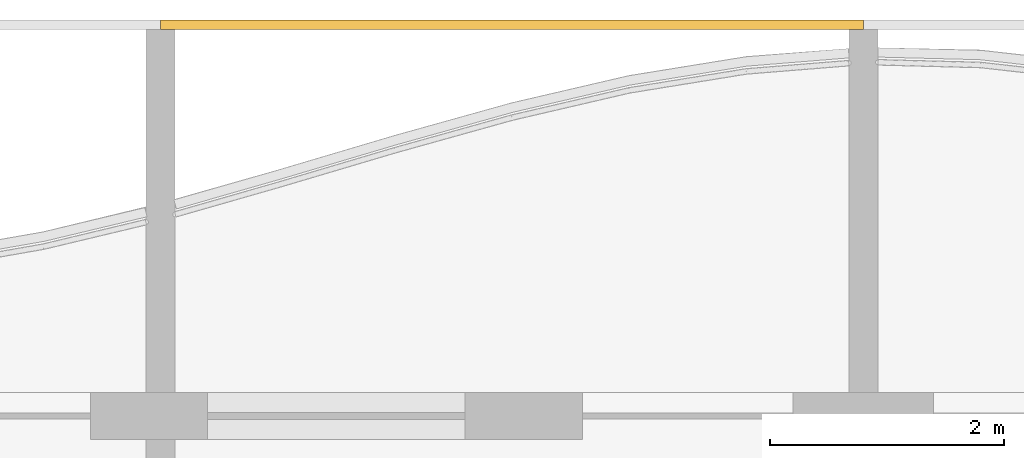
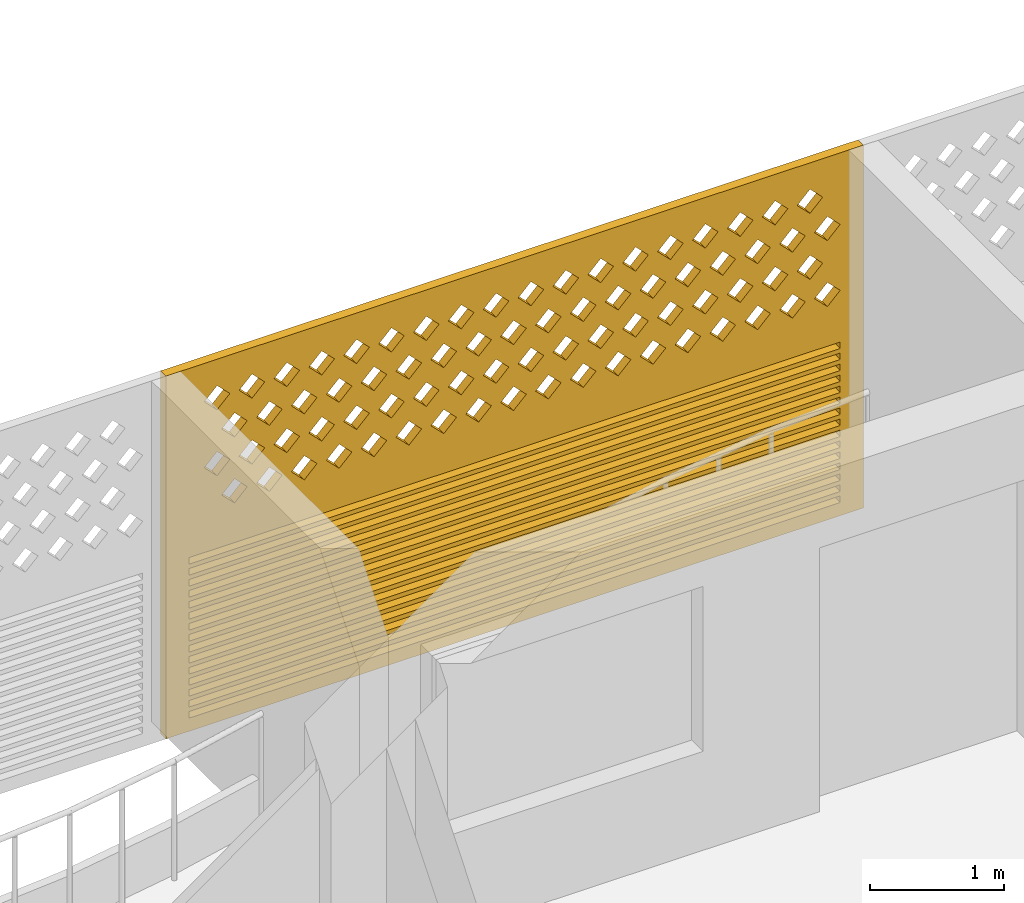
# One storey, part 19 of 27: 1 covering.
"""IFC4 building model written with IfcOpenShell, lengths in metres."""

from ifc_helpers import new_model, si_unit, direction, frame, origin, place, context, subcontext, project, spatial, polyline, outline, extrude, source, transform, mapped, material, material_profile, profile_set, type_object, element, save


model = new_model("IFC4")

# Units and contexts
model_context = context("Model", 3, precision=1e-05, world=origin(), true_north=direction((0.0, 1.0)))
body_context = subcontext(model_context, "Body", "Model", "MODEL_VIEW")
ifc_project = project(units=[si_unit("LENGTHUNIT", "METRE"), si_unit("AREAUNIT", "SQUARE_METRE"), si_unit("VOLUMEUNIT", "CUBIC_METRE"), si_unit("PLANEANGLEUNIT", "RADIAN"), si_unit("MASSUNIT", "GRAM", prefix="KILO")], contexts=[model_context])

# Site, building, storey
site_placement = place(None, origin())
site = spatial("IfcSite", under=ifc_project, at=site_placement, CompositionType="ELEMENT")
building_placement = place(site_placement, origin())
building = spatial("IfcBuilding", under=site, at=building_placement, Name="Poui Terraces", CompositionType="ELEMENT")
storey_placement = place(building_placement, frame((0.0, 0.0, 204.89990234375)))
storey = spatial("IfcBuildingStorey", under=building, at=storey_placement, Name="L57", CompositionType="ELEMENT", Elevation=204.89990234375)

# Covering
ifc_material = material(Name="Terracotta screen", Category="masonry")
ifc_material_profile = material_profile(ifc_material, outline(polyline([(-3.0, -1.64990234375), (3.0, -1.64990234375), (3.0, 1.64990234375), (-3.0, 1.64990234375), (-3.0, -1.64990234375)]), holes=[polyline([(-2.800048828125, 0.39990234375), (-2.68994140625, 0.2900390625), (-2.580078125, 0.39990234375), (-2.68994140625, 0.510009765625), (-2.800048828125, 0.39990234375)]), polyline([(-2.5, 0.39990234375), (-2.389892578125, 0.2900390625), (-2.280029296875, 0.39990234375), (-2.389892578125, 0.510009765625), (-2.5, 0.39990234375)]), polyline([(-2.199951171875, 0.39990234375), (-2.090087890625, 0.2900390625), (-1.97998046875, 0.39990234375), (-2.090087890625, 0.510009765625), (-2.199951171875, 0.39990234375)]), polyline([(-1.89990234375, 0.39990234375), (-1.7900390625, 0.2900390625), (-1.679931640625, 0.39990234375), (-1.7900390625, 0.510009765625), (-1.89990234375, 0.39990234375)]), polyline([(-1.60009765625, 0.39990234375), (-1.489990234375, 0.2900390625), (-1.3798828125, 0.39990234375), (-1.489990234375, 0.510009765625), (-1.60009765625, 0.39990234375)]), polyline([(-1.300048828125, 0.39990234375), (-1.18994140625, 0.2900390625), (-1.080078125, 0.39990234375), (-1.18994140625, 0.510009765625), (-1.300048828125, 0.39990234375)]), polyline([(-1.0, 0.39990234375), (-0.889892578125, 0.2900390625), (-0.780029296875, 0.39990234375), (-0.889892578125, 0.510009765625), (-1.0, 0.39990234375)]), polyline([(-0.699951171875, 0.39990234375), (-0.590087890625, 0.2900390625), (-0.47998046875, 0.39990234375), (-0.590087890625, 0.510009765625), (-0.699951171875, 0.39990234375)]), polyline([(-0.39990234375, 0.39990234375), (-0.2900390625, 0.2900390625), (-0.179931640625, 0.39990234375), (-0.2900390625, 0.510009765625), (-0.39990234375, 0.39990234375)]), polyline([(-0.10009765625, 0.39990234375), (0.010009765625, 0.2900390625), (0.1201171875, 0.39990234375), (0.010009765625, 0.510009765625), (-0.10009765625, 0.39990234375)]), polyline([(0.199951171875, 0.39990234375), (0.31005859375, 0.2900390625), (0.419921875, 0.39990234375), (0.31005859375, 0.510009765625), (0.199951171875, 0.39990234375)]), polyline([(0.5, 0.39990234375), (0.610107421875, 0.2900390625), (0.719970703125, 0.39990234375), (0.610107421875, 0.510009765625), (0.5, 0.39990234375)]), polyline([(0.800048828125, 0.39990234375), (0.909912109375, 0.2900390625), (1.02001953125, 0.39990234375), (0.909912109375, 0.510009765625), (0.800048828125, 0.39990234375)]), polyline([(1.10009765625, 0.39990234375), (1.2099609375, 0.2900390625), (1.320068359375, 0.39990234375), (1.2099609375, 0.510009765625), (1.10009765625, 0.39990234375)]), polyline([(1.39990234375, 0.39990234375), (1.510009765625, 0.2900390625), (1.6201171875, 0.39990234375), (1.510009765625, 0.510009765625), (1.39990234375, 0.39990234375)]), polyline([(1.699951171875, 0.39990234375), (1.81005859375, 0.2900390625), (1.919921875, 0.39990234375), (1.81005859375, 0.510009765625), (1.699951171875, 0.39990234375)]), polyline([(2.0, 0.39990234375), (2.110107421875, 0.2900390625), (2.219970703125, 0.39990234375), (2.110107421875, 0.510009765625), (2.0, 0.39990234375)]), polyline([(2.300048828125, 0.39990234375), (2.409912109375, 0.2900390625), (2.52001953125, 0.39990234375), (2.409912109375, 0.510009765625), (2.300048828125, 0.39990234375)]), polyline([(-2.64990234375, 0.699951171875), (-2.5400390625, 0.590087890625), (-2.429931640625, 0.699951171875), (-2.5400390625, 0.81005859375), (-2.64990234375, 0.699951171875)]), polyline([(-2.35009765625, 0.699951171875), (-2.239990234375, 0.590087890625), (-2.1298828125, 0.699951171875), (-2.239990234375, 0.81005859375), (-2.35009765625, 0.699951171875)]), polyline([(-2.050048828125, 0.699951171875), (-1.93994140625, 0.590087890625), (-1.830078125, 0.699951171875), (-1.93994140625, 0.81005859375), (-2.050048828125, 0.699951171875)]), polyline([(-1.75, 0.699951171875), (-1.639892578125, 0.590087890625), (-1.530029296875, 0.699951171875), (-1.639892578125, 0.81005859375), (-1.75, 0.699951171875)]), polyline([(-1.449951171875, 0.699951171875), (-1.340087890625, 0.590087890625), (-1.22998046875, 0.699951171875), (-1.340087890625, 0.81005859375), (-1.449951171875, 0.699951171875)]), polyline([(-1.14990234375, 0.699951171875), (-1.0400390625, 0.590087890625), (-0.929931640625, 0.699951171875), (-1.0400390625, 0.81005859375), (-1.14990234375, 0.699951171875)]), polyline([(-0.85009765625, 0.699951171875), (-0.739990234375, 0.590087890625), (-0.6298828125, 0.699951171875), (-0.739990234375, 0.81005859375), (-0.85009765625, 0.699951171875)]), polyline([(-0.550048828125, 0.699951171875), (-0.43994140625, 0.590087890625), (-0.330078125, 0.699951171875), (-0.43994140625, 0.81005859375), (-0.550048828125, 0.699951171875)]), polyline([(-0.25, 0.699951171875), (-0.139892578125, 0.590087890625), (-0.030029296875, 0.699951171875), (-0.139892578125, 0.81005859375), (-0.25, 0.699951171875)]), polyline([(0.050048828125, 0.699951171875), (0.159912109375, 0.590087890625), (0.27001953125, 0.699951171875), (0.159912109375, 0.81005859375), (0.050048828125, 0.699951171875)]), polyline([(0.35009765625, 0.699951171875), (0.4599609375, 0.590087890625), (0.570068359375, 0.699951171875), (0.4599609375, 0.81005859375), (0.35009765625, 0.699951171875)]), polyline([(0.64990234375, 0.699951171875), (0.760009765625, 0.590087890625), (0.8701171875, 0.699951171875), (0.760009765625, 0.81005859375), (0.64990234375, 0.699951171875)]), polyline([(0.949951171875, 0.699951171875), (1.06005859375, 0.590087890625), (1.169921875, 0.699951171875), (1.06005859375, 0.81005859375), (0.949951171875, 0.699951171875)]), polyline([(1.25, 0.699951171875), (1.360107421875, 0.590087890625), (1.469970703125, 0.699951171875), (1.360107421875, 0.81005859375), (1.25, 0.699951171875)]), polyline([(1.550048828125, 0.699951171875), (1.659912109375, 0.590087890625), (1.77001953125, 0.699951171875), (1.659912109375, 0.81005859375), (1.550048828125, 0.699951171875)]), polyline([(1.85009765625, 0.699951171875), (1.9599609375, 0.590087890625), (2.070068359375, 0.699951171875), (1.9599609375, 0.81005859375), (1.85009765625, 0.699951171875)]), polyline([(2.14990234375, 0.699951171875), (2.260009765625, 0.590087890625), (2.3701171875, 0.699951171875), (2.260009765625, 0.81005859375), (2.14990234375, 0.699951171875)]), polyline([(2.449951171875, 0.699951171875), (2.56005859375, 0.590087890625), (2.669921875, 0.699951171875), (2.56005859375, 0.81005859375), (2.449951171875, 0.699951171875)]), polyline([(-2.800048828125, 1.0), (-2.68994140625, 0.889892578125), (-2.580078125, 1.0), (-2.68994140625, 1.110107421875), (-2.800048828125, 1.0)]), polyline([(-2.5, 1.0), (-2.389892578125, 0.889892578125), (-2.280029296875, 1.0), (-2.389892578125, 1.110107421875), (-2.5, 1.0)]), polyline([(-2.199951171875, 1.0), (-2.090087890625, 0.889892578125), (-1.97998046875, 1.0), (-2.090087890625, 1.110107421875), (-2.199951171875, 1.0)]), polyline([(-1.89990234375, 1.0), (-1.7900390625, 0.889892578125), (-1.679931640625, 1.0), (-1.7900390625, 1.110107421875), (-1.89990234375, 1.0)]), polyline([(-1.60009765625, 1.0), (-1.489990234375, 0.889892578125), (-1.3798828125, 1.0), (-1.489990234375, 1.110107421875), (-1.60009765625, 1.0)]), polyline([(-1.300048828125, 1.0), (-1.18994140625, 0.889892578125), (-1.080078125, 1.0), (-1.18994140625, 1.110107421875), (-1.300048828125, 1.0)]), polyline([(-1.0, 1.0), (-0.889892578125, 0.889892578125), (-0.780029296875, 1.0), (-0.889892578125, 1.110107421875), (-1.0, 1.0)]), polyline([(-0.699951171875, 1.0), (-0.590087890625, 0.889892578125), (-0.47998046875, 1.0), (-0.590087890625, 1.110107421875), (-0.699951171875, 1.0)]), polyline([(-0.39990234375, 1.0), (-0.2900390625, 0.889892578125), (-0.179931640625, 1.0), (-0.2900390625, 1.110107421875), (-0.39990234375, 1.0)]), polyline([(-0.10009765625, 1.0), (0.010009765625, 0.889892578125), (0.1201171875, 1.0), (0.010009765625, 1.110107421875), (-0.10009765625, 1.0)]), polyline([(0.199951171875, 1.0), (0.31005859375, 0.889892578125), (0.419921875, 1.0), (0.31005859375, 1.110107421875), (0.199951171875, 1.0)]), polyline([(0.5, 1.0), (0.610107421875, 0.889892578125), (0.719970703125, 1.0), (0.610107421875, 1.110107421875), (0.5, 1.0)]), polyline([(0.800048828125, 1.0), (0.909912109375, 0.889892578125), (1.02001953125, 1.0), (0.909912109375, 1.110107421875), (0.800048828125, 1.0)]), polyline([(1.10009765625, 1.0), (1.2099609375, 0.889892578125), (1.320068359375, 1.0), (1.2099609375, 1.110107421875), (1.10009765625, 1.0)]), polyline([(1.39990234375, 1.0), (1.510009765625, 0.889892578125), (1.6201171875, 1.0), (1.510009765625, 1.110107421875), (1.39990234375, 1.0)]), polyline([(1.699951171875, 1.0), (1.81005859375, 0.889892578125), (1.919921875, 1.0), (1.81005859375, 1.110107421875), (1.699951171875, 1.0)]), polyline([(2.0, 1.0), (2.110107421875, 0.889892578125), (2.219970703125, 1.0), (2.110107421875, 1.110107421875), (2.0, 1.0)]), polyline([(2.300048828125, 1.0), (2.409912109375, 0.889892578125), (2.52001953125, 1.0), (2.409912109375, 1.110107421875), (2.300048828125, 1.0)]), polyline([(-2.64990234375, 1.300048828125), (-2.5400390625, 1.18994140625), (-2.429931640625, 1.300048828125), (-2.5400390625, 1.409912109375), (-2.64990234375, 1.300048828125)]), polyline([(-2.35009765625, 1.300048828125), (-2.239990234375, 1.18994140625), (-2.1298828125, 1.300048828125), (-2.239990234375, 1.409912109375), (-2.35009765625, 1.300048828125)]), polyline([(-2.050048828125, 1.300048828125), (-1.93994140625, 1.18994140625), (-1.830078125, 1.300048828125), (-1.93994140625, 1.409912109375), (-2.050048828125, 1.300048828125)]), polyline([(-1.75, 1.300048828125), (-1.639892578125, 1.18994140625), (-1.530029296875, 1.300048828125), (-1.639892578125, 1.409912109375), (-1.75, 1.300048828125)]), polyline([(-1.449951171875, 1.300048828125), (-1.340087890625, 1.18994140625), (-1.22998046875, 1.300048828125), (-1.340087890625, 1.409912109375), (-1.449951171875, 1.300048828125)]), polyline([(-1.14990234375, 1.300048828125), (-1.0400390625, 1.18994140625), (-0.929931640625, 1.300048828125), (-1.0400390625, 1.409912109375), (-1.14990234375, 1.300048828125)]), polyline([(-0.85009765625, 1.300048828125), (-0.739990234375, 1.18994140625), (-0.6298828125, 1.300048828125), (-0.739990234375, 1.409912109375), (-0.85009765625, 1.300048828125)]), polyline([(-0.550048828125, 1.300048828125), (-0.43994140625, 1.18994140625), (-0.330078125, 1.300048828125), (-0.43994140625, 1.409912109375), (-0.550048828125, 1.300048828125)]), polyline([(-0.25, 1.300048828125), (-0.139892578125, 1.18994140625), (-0.030029296875, 1.300048828125), (-0.139892578125, 1.409912109375), (-0.25, 1.300048828125)]), polyline([(0.050048828125, 1.300048828125), (0.159912109375, 1.18994140625), (0.27001953125, 1.300048828125), (0.159912109375, 1.409912109375), (0.050048828125, 1.300048828125)]), polyline([(0.35009765625, 1.300048828125), (0.4599609375, 1.18994140625), (0.570068359375, 1.300048828125), (0.4599609375, 1.409912109375), (0.35009765625, 1.300048828125)]), polyline([(0.64990234375, 1.300048828125), (0.760009765625, 1.18994140625), (0.8701171875, 1.300048828125), (0.760009765625, 1.409912109375), (0.64990234375, 1.300048828125)]), polyline([(0.949951171875, 1.300048828125), (1.06005859375, 1.18994140625), (1.169921875, 1.300048828125), (1.06005859375, 1.409912109375), (0.949951171875, 1.300048828125)]), polyline([(1.25, 1.300048828125), (1.360107421875, 1.18994140625), (1.469970703125, 1.300048828125), (1.360107421875, 1.409912109375), (1.25, 1.300048828125)]), polyline([(1.550048828125, 1.300048828125), (1.659912109375, 1.18994140625), (1.77001953125, 1.300048828125), (1.659912109375, 1.409912109375), (1.550048828125, 1.300048828125)]), polyline([(1.85009765625, 1.300048828125), (1.9599609375, 1.18994140625), (2.070068359375, 1.300048828125), (1.9599609375, 1.409912109375), (1.85009765625, 1.300048828125)]), polyline([(2.14990234375, 1.300048828125), (2.260009765625, 1.18994140625), (2.3701171875, 1.300048828125), (2.260009765625, 1.409912109375), (2.14990234375, 1.300048828125)]), polyline([(2.449951171875, 1.300048828125), (2.56005859375, 1.18994140625), (2.669921875, 1.300048828125), (2.56005859375, 1.409912109375), (2.449951171875, 1.300048828125)]), polyline([(-2.800048828125, -1.530029296875), (2.800048828125, -1.530029296875), (2.800048828125, -1.469970703125), (-2.800048828125, -1.469970703125), (-2.800048828125, -1.530029296875)]), polyline([(-2.800048828125, -1.429931640625), (2.800048828125, -1.429931640625), (2.800048828125, -1.3701171875), (-2.800048828125, -1.3701171875), (-2.800048828125, -1.429931640625)]), polyline([(-2.800048828125, -1.330078125), (2.800048828125, -1.330078125), (2.800048828125, -1.27001953125), (-2.800048828125, -1.27001953125), (-2.800048828125, -1.330078125)]), polyline([(-2.800048828125, -1.22998046875), (2.800048828125, -1.22998046875), (2.800048828125, -1.169921875), (-2.800048828125, -1.169921875), (-2.800048828125, -1.22998046875)]), polyline([(-2.800048828125, -1.1298828125), (2.800048828125, -1.1298828125), (2.800048828125, -1.070068359375), (-2.800048828125, -1.070068359375), (-2.800048828125, -1.1298828125)]), polyline([(-2.800048828125, -1.030029296875), (2.800048828125, -1.030029296875), (2.800048828125, -0.969970703125), (-2.800048828125, -0.969970703125), (-2.800048828125, -1.030029296875)]), polyline([(-2.800048828125, -0.929931640625), (2.800048828125, -0.929931640625), (2.800048828125, -0.8701171875), (-2.800048828125, -0.8701171875), (-2.800048828125, -0.929931640625)]), polyline([(-2.800048828125, -0.830078125), (2.800048828125, -0.830078125), (2.800048828125, -0.77001953125), (-2.800048828125, -0.77001953125), (-2.800048828125, -0.830078125)]), polyline([(-2.800048828125, -0.72998046875), (2.800048828125, -0.72998046875), (2.800048828125, -0.669921875), (-2.800048828125, -0.669921875), (-2.800048828125, -0.72998046875)]), polyline([(-2.800048828125, -0.6298828125), (2.800048828125, -0.6298828125), (2.800048828125, -0.570068359375), (-2.800048828125, -0.570068359375), (-2.800048828125, -0.6298828125)]), polyline([(-2.800048828125, -0.530029296875), (2.800048828125, -0.530029296875), (2.800048828125, -0.469970703125), (-2.800048828125, -0.469970703125), (-2.800048828125, -0.530029296875)]), polyline([(-2.800048828125, -0.429931640625), (2.800048828125, -0.429931640625), (2.800048828125, -0.3701171875), (-2.800048828125, -0.3701171875), (-2.800048828125, -0.429931640625)]), polyline([(-2.800048828125, -0.330078125), (2.800048828125, -0.330078125), (2.800048828125, -0.27001953125), (-2.800048828125, -0.27001953125), (-2.800048828125, -0.330078125)]), polyline([(-2.800048828125, -0.22998046875), (2.800048828125, -0.22998046875), (2.800048828125, -0.169921875), (-2.800048828125, -0.169921875), (-2.800048828125, -0.22998046875)]), polyline([(-2.800048828125, -0.1298828125), (2.800048828125, -0.1298828125), (2.800048828125, -0.070068359375), (-2.800048828125, -0.070068359375), (-2.800048828125, -0.1298828125)])]), Name="TERRACOTTA SCREEN AND JALOUSIE LOUVRE 6000X3300")
ifc_profile_set = profile_set([ifc_material_profile], Name="Terracotta screen")
covering_type = type_object("IfcCoveringType", Name="TERRACOTTA SCREEN AND JALOUSIE LOUVRE 6000X3300", PredefinedType="CLADDING", material=ifc_profile_set)
shared_shape = source(origin(), body_context, "Body", "SweptSolid", [
    extrude(outline(polyline([(-3.0, -1.64990234375), (3.0, -1.64990234375), (3.0, 1.64990234375), (-3.0, 1.64990234375), (-3.0, -1.64990234375)]), holes=[polyline([(-2.800048828125, 0.39990234375), (-2.68994140625, 0.2900390625), (-2.580078125, 0.39990234375), (-2.68994140625, 0.510009765625), (-2.800048828125, 0.39990234375)]), polyline([(-2.5, 0.39990234375), (-2.389892578125, 0.2900390625), (-2.280029296875, 0.39990234375), (-2.389892578125, 0.510009765625), (-2.5, 0.39990234375)]), polyline([(-2.199951171875, 0.39990234375), (-2.090087890625, 0.2900390625), (-1.97998046875, 0.39990234375), (-2.090087890625, 0.510009765625), (-2.199951171875, 0.39990234375)]), polyline([(-1.89990234375, 0.39990234375), (-1.7900390625, 0.2900390625), (-1.679931640625, 0.39990234375), (-1.7900390625, 0.510009765625), (-1.89990234375, 0.39990234375)]), polyline([(-1.60009765625, 0.39990234375), (-1.489990234375, 0.2900390625), (-1.3798828125, 0.39990234375), (-1.489990234375, 0.510009765625), (-1.60009765625, 0.39990234375)]), polyline([(-1.300048828125, 0.39990234375), (-1.18994140625, 0.2900390625), (-1.080078125, 0.39990234375), (-1.18994140625, 0.510009765625), (-1.300048828125, 0.39990234375)]), polyline([(-1.0, 0.39990234375), (-0.889892578125, 0.2900390625), (-0.780029296875, 0.39990234375), (-0.889892578125, 0.510009765625), (-1.0, 0.39990234375)]), polyline([(-0.699951171875, 0.39990234375), (-0.590087890625, 0.2900390625), (-0.47998046875, 0.39990234375), (-0.590087890625, 0.510009765625), (-0.699951171875, 0.39990234375)]), polyline([(-0.39990234375, 0.39990234375), (-0.2900390625, 0.2900390625), (-0.179931640625, 0.39990234375), (-0.2900390625, 0.510009765625), (-0.39990234375, 0.39990234375)]), polyline([(-0.10009765625, 0.39990234375), (0.010009765625, 0.2900390625), (0.1201171875, 0.39990234375), (0.010009765625, 0.510009765625), (-0.10009765625, 0.39990234375)]), polyline([(0.199951171875, 0.39990234375), (0.31005859375, 0.2900390625), (0.419921875, 0.39990234375), (0.31005859375, 0.510009765625), (0.199951171875, 0.39990234375)]), polyline([(0.5, 0.39990234375), (0.610107421875, 0.2900390625), (0.719970703125, 0.39990234375), (0.610107421875, 0.510009765625), (0.5, 0.39990234375)]), polyline([(0.800048828125, 0.39990234375), (0.909912109375, 0.2900390625), (1.02001953125, 0.39990234375), (0.909912109375, 0.510009765625), (0.800048828125, 0.39990234375)]), polyline([(1.10009765625, 0.39990234375), (1.2099609375, 0.2900390625), (1.320068359375, 0.39990234375), (1.2099609375, 0.510009765625), (1.10009765625, 0.39990234375)]), polyline([(1.39990234375, 0.39990234375), (1.510009765625, 0.2900390625), (1.6201171875, 0.39990234375), (1.510009765625, 0.510009765625), (1.39990234375, 0.39990234375)]), polyline([(1.699951171875, 0.39990234375), (1.81005859375, 0.2900390625), (1.919921875, 0.39990234375), (1.81005859375, 0.510009765625), (1.699951171875, 0.39990234375)]), polyline([(2.0, 0.39990234375), (2.110107421875, 0.2900390625), (2.219970703125, 0.39990234375), (2.110107421875, 0.510009765625), (2.0, 0.39990234375)]), polyline([(2.300048828125, 0.39990234375), (2.409912109375, 0.2900390625), (2.52001953125, 0.39990234375), (2.409912109375, 0.510009765625), (2.300048828125, 0.39990234375)]), polyline([(-2.64990234375, 0.699951171875), (-2.5400390625, 0.590087890625), (-2.429931640625, 0.699951171875), (-2.5400390625, 0.81005859375), (-2.64990234375, 0.699951171875)]), polyline([(-2.35009765625, 0.699951171875), (-2.239990234375, 0.590087890625), (-2.1298828125, 0.699951171875), (-2.239990234375, 0.81005859375), (-2.35009765625, 0.699951171875)]), polyline([(-2.050048828125, 0.699951171875), (-1.93994140625, 0.590087890625), (-1.830078125, 0.699951171875), (-1.93994140625, 0.81005859375), (-2.050048828125, 0.699951171875)]), polyline([(-1.75, 0.699951171875), (-1.639892578125, 0.590087890625), (-1.530029296875, 0.699951171875), (-1.639892578125, 0.81005859375), (-1.75, 0.699951171875)]), polyline([(-1.449951171875, 0.699951171875), (-1.340087890625, 0.590087890625), (-1.22998046875, 0.699951171875), (-1.340087890625, 0.81005859375), (-1.449951171875, 0.699951171875)]), polyline([(-1.14990234375, 0.699951171875), (-1.0400390625, 0.590087890625), (-0.929931640625, 0.699951171875), (-1.0400390625, 0.81005859375), (-1.14990234375, 0.699951171875)]), polyline([(-0.85009765625, 0.699951171875), (-0.739990234375, 0.590087890625), (-0.6298828125, 0.699951171875), (-0.739990234375, 0.81005859375), (-0.85009765625, 0.699951171875)]), polyline([(-0.550048828125, 0.699951171875), (-0.43994140625, 0.590087890625), (-0.330078125, 0.699951171875), (-0.43994140625, 0.81005859375), (-0.550048828125, 0.699951171875)]), polyline([(-0.25, 0.699951171875), (-0.139892578125, 0.590087890625), (-0.030029296875, 0.699951171875), (-0.139892578125, 0.81005859375), (-0.25, 0.699951171875)]), polyline([(0.050048828125, 0.699951171875), (0.159912109375, 0.590087890625), (0.27001953125, 0.699951171875), (0.159912109375, 0.81005859375), (0.050048828125, 0.699951171875)]), polyline([(0.35009765625, 0.699951171875), (0.4599609375, 0.590087890625), (0.570068359375, 0.699951171875), (0.4599609375, 0.81005859375), (0.35009765625, 0.699951171875)]), polyline([(0.64990234375, 0.699951171875), (0.760009765625, 0.590087890625), (0.8701171875, 0.699951171875), (0.760009765625, 0.81005859375), (0.64990234375, 0.699951171875)]), polyline([(0.949951171875, 0.699951171875), (1.06005859375, 0.590087890625), (1.169921875, 0.699951171875), (1.06005859375, 0.81005859375), (0.949951171875, 0.699951171875)]), polyline([(1.25, 0.699951171875), (1.360107421875, 0.590087890625), (1.469970703125, 0.699951171875), (1.360107421875, 0.81005859375), (1.25, 0.699951171875)]), polyline([(1.550048828125, 0.699951171875), (1.659912109375, 0.590087890625), (1.77001953125, 0.699951171875), (1.659912109375, 0.81005859375), (1.550048828125, 0.699951171875)]), polyline([(1.85009765625, 0.699951171875), (1.9599609375, 0.590087890625), (2.070068359375, 0.699951171875), (1.9599609375, 0.81005859375), (1.85009765625, 0.699951171875)]), polyline([(2.14990234375, 0.699951171875), (2.260009765625, 0.590087890625), (2.3701171875, 0.699951171875), (2.260009765625, 0.81005859375), (2.14990234375, 0.699951171875)]), polyline([(2.449951171875, 0.699951171875), (2.56005859375, 0.590087890625), (2.669921875, 0.699951171875), (2.56005859375, 0.81005859375), (2.449951171875, 0.699951171875)]), polyline([(-2.800048828125, 1.0), (-2.68994140625, 0.889892578125), (-2.580078125, 1.0), (-2.68994140625, 1.110107421875), (-2.800048828125, 1.0)]), polyline([(-2.5, 1.0), (-2.389892578125, 0.889892578125), (-2.280029296875, 1.0), (-2.389892578125, 1.110107421875), (-2.5, 1.0)]), polyline([(-2.199951171875, 1.0), (-2.090087890625, 0.889892578125), (-1.97998046875, 1.0), (-2.090087890625, 1.110107421875), (-2.199951171875, 1.0)]), polyline([(-1.89990234375, 1.0), (-1.7900390625, 0.889892578125), (-1.679931640625, 1.0), (-1.7900390625, 1.110107421875), (-1.89990234375, 1.0)]), polyline([(-1.60009765625, 1.0), (-1.489990234375, 0.889892578125), (-1.3798828125, 1.0), (-1.489990234375, 1.110107421875), (-1.60009765625, 1.0)]), polyline([(-1.300048828125, 1.0), (-1.18994140625, 0.889892578125), (-1.080078125, 1.0), (-1.18994140625, 1.110107421875), (-1.300048828125, 1.0)]), polyline([(-1.0, 1.0), (-0.889892578125, 0.889892578125), (-0.780029296875, 1.0), (-0.889892578125, 1.110107421875), (-1.0, 1.0)]), polyline([(-0.699951171875, 1.0), (-0.590087890625, 0.889892578125), (-0.47998046875, 1.0), (-0.590087890625, 1.110107421875), (-0.699951171875, 1.0)]), polyline([(-0.39990234375, 1.0), (-0.2900390625, 0.889892578125), (-0.179931640625, 1.0), (-0.2900390625, 1.110107421875), (-0.39990234375, 1.0)]), polyline([(-0.10009765625, 1.0), (0.010009765625, 0.889892578125), (0.1201171875, 1.0), (0.010009765625, 1.110107421875), (-0.10009765625, 1.0)]), polyline([(0.199951171875, 1.0), (0.31005859375, 0.889892578125), (0.419921875, 1.0), (0.31005859375, 1.110107421875), (0.199951171875, 1.0)]), polyline([(0.5, 1.0), (0.610107421875, 0.889892578125), (0.719970703125, 1.0), (0.610107421875, 1.110107421875), (0.5, 1.0)]), polyline([(0.800048828125, 1.0), (0.909912109375, 0.889892578125), (1.02001953125, 1.0), (0.909912109375, 1.110107421875), (0.800048828125, 1.0)]), polyline([(1.10009765625, 1.0), (1.2099609375, 0.889892578125), (1.320068359375, 1.0), (1.2099609375, 1.110107421875), (1.10009765625, 1.0)]), polyline([(1.39990234375, 1.0), (1.510009765625, 0.889892578125), (1.6201171875, 1.0), (1.510009765625, 1.110107421875), (1.39990234375, 1.0)]), polyline([(1.699951171875, 1.0), (1.81005859375, 0.889892578125), (1.919921875, 1.0), (1.81005859375, 1.110107421875), (1.699951171875, 1.0)]), polyline([(2.0, 1.0), (2.110107421875, 0.889892578125), (2.219970703125, 1.0), (2.110107421875, 1.110107421875), (2.0, 1.0)]), polyline([(2.300048828125, 1.0), (2.409912109375, 0.889892578125), (2.52001953125, 1.0), (2.409912109375, 1.110107421875), (2.300048828125, 1.0)]), polyline([(-2.64990234375, 1.300048828125), (-2.5400390625, 1.18994140625), (-2.429931640625, 1.300048828125), (-2.5400390625, 1.409912109375), (-2.64990234375, 1.300048828125)]), polyline([(-2.35009765625, 1.300048828125), (-2.239990234375, 1.18994140625), (-2.1298828125, 1.300048828125), (-2.239990234375, 1.409912109375), (-2.35009765625, 1.300048828125)]), polyline([(-2.050048828125, 1.300048828125), (-1.93994140625, 1.18994140625), (-1.830078125, 1.300048828125), (-1.93994140625, 1.409912109375), (-2.050048828125, 1.300048828125)]), polyline([(-1.75, 1.300048828125), (-1.639892578125, 1.18994140625), (-1.530029296875, 1.300048828125), (-1.639892578125, 1.409912109375), (-1.75, 1.300048828125)]), polyline([(-1.449951171875, 1.300048828125), (-1.340087890625, 1.18994140625), (-1.22998046875, 1.300048828125), (-1.340087890625, 1.409912109375), (-1.449951171875, 1.300048828125)]), polyline([(-1.14990234375, 1.300048828125), (-1.0400390625, 1.18994140625), (-0.929931640625, 1.300048828125), (-1.0400390625, 1.409912109375), (-1.14990234375, 1.300048828125)]), polyline([(-0.85009765625, 1.300048828125), (-0.739990234375, 1.18994140625), (-0.6298828125, 1.300048828125), (-0.739990234375, 1.409912109375), (-0.85009765625, 1.300048828125)]), polyline([(-0.550048828125, 1.300048828125), (-0.43994140625, 1.18994140625), (-0.330078125, 1.300048828125), (-0.43994140625, 1.409912109375), (-0.550048828125, 1.300048828125)]), polyline([(-0.25, 1.300048828125), (-0.139892578125, 1.18994140625), (-0.030029296875, 1.300048828125), (-0.139892578125, 1.409912109375), (-0.25, 1.300048828125)]), polyline([(0.050048828125, 1.300048828125), (0.159912109375, 1.18994140625), (0.27001953125, 1.300048828125), (0.159912109375, 1.409912109375), (0.050048828125, 1.300048828125)]), polyline([(0.35009765625, 1.300048828125), (0.4599609375, 1.18994140625), (0.570068359375, 1.300048828125), (0.4599609375, 1.409912109375), (0.35009765625, 1.300048828125)]), polyline([(0.64990234375, 1.300048828125), (0.760009765625, 1.18994140625), (0.8701171875, 1.300048828125), (0.760009765625, 1.409912109375), (0.64990234375, 1.300048828125)]), polyline([(0.949951171875, 1.300048828125), (1.06005859375, 1.18994140625), (1.169921875, 1.300048828125), (1.06005859375, 1.409912109375), (0.949951171875, 1.300048828125)]), polyline([(1.25, 1.300048828125), (1.360107421875, 1.18994140625), (1.469970703125, 1.300048828125), (1.360107421875, 1.409912109375), (1.25, 1.300048828125)]), polyline([(1.550048828125, 1.300048828125), (1.659912109375, 1.18994140625), (1.77001953125, 1.300048828125), (1.659912109375, 1.409912109375), (1.550048828125, 1.300048828125)]), polyline([(1.85009765625, 1.300048828125), (1.9599609375, 1.18994140625), (2.070068359375, 1.300048828125), (1.9599609375, 1.409912109375), (1.85009765625, 1.300048828125)]), polyline([(2.14990234375, 1.300048828125), (2.260009765625, 1.18994140625), (2.3701171875, 1.300048828125), (2.260009765625, 1.409912109375), (2.14990234375, 1.300048828125)]), polyline([(2.449951171875, 1.300048828125), (2.56005859375, 1.18994140625), (2.669921875, 1.300048828125), (2.56005859375, 1.409912109375), (2.449951171875, 1.300048828125)]), polyline([(-2.800048828125, -1.530029296875), (2.800048828125, -1.530029296875), (2.800048828125, -1.469970703125), (-2.800048828125, -1.469970703125), (-2.800048828125, -1.530029296875)]), polyline([(-2.800048828125, -1.429931640625), (2.800048828125, -1.429931640625), (2.800048828125, -1.3701171875), (-2.800048828125, -1.3701171875), (-2.800048828125, -1.429931640625)]), polyline([(-2.800048828125, -1.330078125), (2.800048828125, -1.330078125), (2.800048828125, -1.27001953125), (-2.800048828125, -1.27001953125), (-2.800048828125, -1.330078125)]), polyline([(-2.800048828125, -1.22998046875), (2.800048828125, -1.22998046875), (2.800048828125, -1.169921875), (-2.800048828125, -1.169921875), (-2.800048828125, -1.22998046875)]), polyline([(-2.800048828125, -1.1298828125), (2.800048828125, -1.1298828125), (2.800048828125, -1.070068359375), (-2.800048828125, -1.070068359375), (-2.800048828125, -1.1298828125)]), polyline([(-2.800048828125, -1.030029296875), (2.800048828125, -1.030029296875), (2.800048828125, -0.969970703125), (-2.800048828125, -0.969970703125), (-2.800048828125, -1.030029296875)]), polyline([(-2.800048828125, -0.929931640625), (2.800048828125, -0.929931640625), (2.800048828125, -0.8701171875), (-2.800048828125, -0.8701171875), (-2.800048828125, -0.929931640625)]), polyline([(-2.800048828125, -0.830078125), (2.800048828125, -0.830078125), (2.800048828125, -0.77001953125), (-2.800048828125, -0.77001953125), (-2.800048828125, -0.830078125)]), polyline([(-2.800048828125, -0.72998046875), (2.800048828125, -0.72998046875), (2.800048828125, -0.669921875), (-2.800048828125, -0.669921875), (-2.800048828125, -0.72998046875)]), polyline([(-2.800048828125, -0.6298828125), (2.800048828125, -0.6298828125), (2.800048828125, -0.570068359375), (-2.800048828125, -0.570068359375), (-2.800048828125, -0.6298828125)]), polyline([(-2.800048828125, -0.530029296875), (2.800048828125, -0.530029296875), (2.800048828125, -0.469970703125), (-2.800048828125, -0.469970703125), (-2.800048828125, -0.530029296875)]), polyline([(-2.800048828125, -0.429931640625), (2.800048828125, -0.429931640625), (2.800048828125, -0.3701171875), (-2.800048828125, -0.3701171875), (-2.800048828125, -0.429931640625)]), polyline([(-2.800048828125, -0.330078125), (2.800048828125, -0.330078125), (2.800048828125, -0.27001953125), (-2.800048828125, -0.27001953125), (-2.800048828125, -0.330078125)]), polyline([(-2.800048828125, -0.22998046875), (2.800048828125, -0.22998046875), (2.800048828125, -0.169921875), (-2.800048828125, -0.169921875), (-2.800048828125, -0.22998046875)]), polyline([(-2.800048828125, -0.1298828125), (2.800048828125, -0.1298828125), (2.800048828125, -0.070068359375), (-2.800048828125, -0.070068359375), (-2.800048828125, -0.1298828125)])]), origin(), (0.0, 0.0, 1.0), 0.080078125),
])
covering_placement = place(storey_placement, frame((33.0, 44.5, 1.4501953125), z_axis=(0.0, 1.0, 0.0), x_axis=(-1.0, 0.0, 0.0)))
element("IfcCovering", 1, at=covering_placement, inside=storey, type_object=covering_type, Name="SOLAR SCREEN AND JALOUSIE LOUVRE", PredefinedType="CLADDING", context=body_context, shape_type="MappedRepresentation", body=[
    mapped(shared_shape, transform((0.0, 0.0, 0.0))),
])

save(model, "model.ifc")
